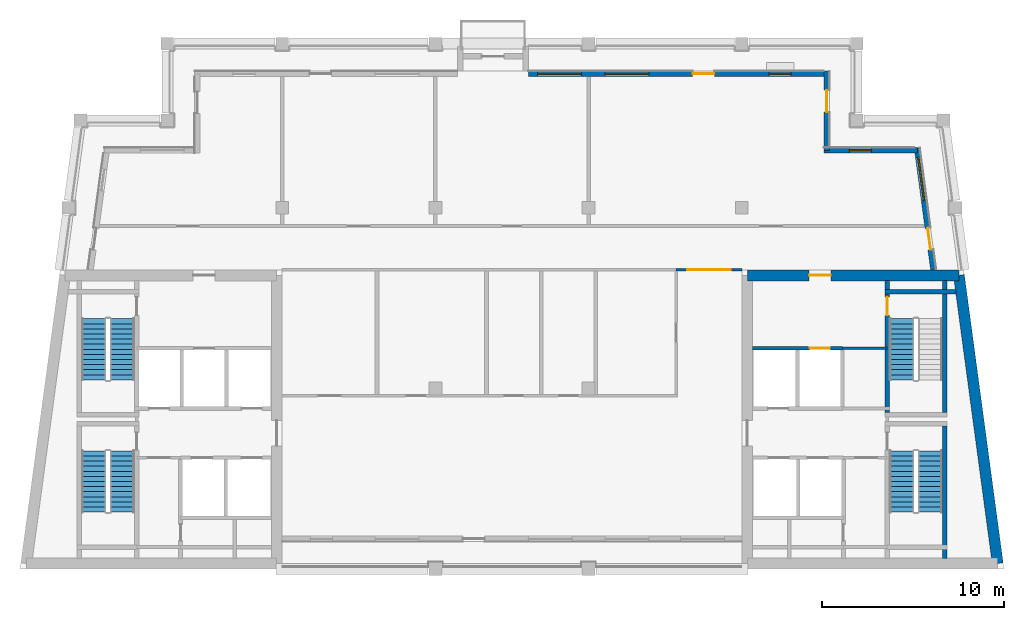
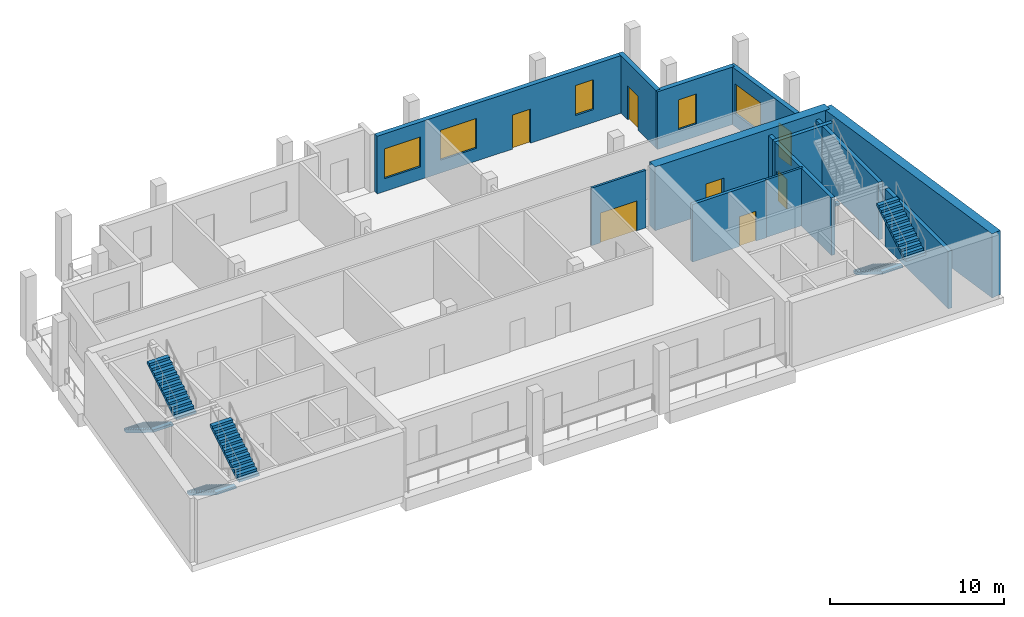
# One storey, part 4 of 9: 13 walls, 7 doors, 7 stair flights, 5 windows, 12 openings, 4 elements without a shape of their own.
"""IFC4 building model written with IfcOpenShell, lengths in metres."""

import ifcopenshell
import ifcopenshell.guid

model = None  # the IFC model being written
_history = None  # IfcOwnerHistory: only IFC2X3 demands one
_inside = {}  # id of a spatial element -> (the spatial element, [elements in it])
_under = {}  # id of a project, library or spatial element -> (it, [spatial elements below it])
_declared = {}  # id of a project -> (the project, [libraries it declares])
_typed = {}  # id of a type object -> (the type object, [elements of that type])
_made_of = {}  # id of a material, layer set ... -> (it, [elements and type objects made of it])


def new_model(schema):
    """Start an empty IFC model of exactly this schema.

    Asked for "IFC4X3", IfcOpenShell would pick the latest addendum, in which some entities
    have other attributes; the version numbers below select the first issue.
    IFC2X3 requires an IfcOwnerHistory on every rooted entity: one is made here for all.
    """
    global model, _history
    if schema == "IFC4X3":
        model = ifcopenshell.file(schema_version=(4, 3, 0, 0))
    else:
        model = ifcopenshell.file(schema=schema)
    _inside.clear()
    _under.clear()
    _declared.clear()
    _typed.clear()
    _made_of.clear()
    _history = None
    if model.schema == "IFC2X3":
        org = make("IfcOrganization", Name="unknown")
        user = make(
            "IfcPersonAndOrganization",
            ThePerson=make("IfcPerson", FamilyName="unknown"),
            TheOrganization=org,
        )
        app = make(
            "IfcApplication",
            ApplicationDeveloper=org,
            Version="unknown",
            ApplicationFullName="unknown",
            ApplicationIdentifier="unknown",
        )
        _history = make(
            "IfcOwnerHistory",
            OwningUser=user,
            OwningApplication=app,
            ChangeAction="ADDED",
            CreationDate=0,
        )
    return model


def make(cls, **values):
    """One entity of the class cls with the attributes given. An attribute that is None is left unset."""
    return model.create_entity(
        cls, **{name: value for name, value in values.items() if value is not None}
    )


def rooted(cls, **values):
    """An entity with a GlobalId (a new one), such as an element, a storey or a relation."""
    return make(cls, GlobalId=ifcopenshell.guid.new(), OwnerHistory=_history, **values)


def si_unit(unit_type, name, prefix=None):
    """IfcSIUnit, for example si_unit("LENGTHUNIT", "METRE", prefix="MILLI")."""
    return make("IfcSIUnit", UnitType=unit_type, Prefix=prefix, Name=name)


def assignment(units):
    """IfcUnitAssignment: the units of a project."""
    return None if units is None else make("IfcUnitAssignment", Units=units)


def point(xyz):
    """IfcCartesianPoint."""
    return None if xyz is None else make("IfcCartesianPoint", Coordinates=xyz)


def direction(xyz):
    """IfcDirection."""
    return None if xyz is None else make("IfcDirection", DirectionRatios=xyz)


def frame(location, z_axis=None, x_axis=None):
    """IfcAxis2Placement3D, a coordinate frame: its origin and axes. An axis left out is left unset."""
    return make(
        "IfcAxis2Placement3D",
        Location=point(location),
        Axis=direction(z_axis),
        RefDirection=direction(x_axis),
    )


def frame_2d(location, x_axis=None):
    """IfcAxis2Placement2D, a coordinate frame in the plane: its origin and x axis."""
    return make(
        "IfcAxis2Placement2D", Location=point(location), RefDirection=direction(x_axis)
    )


def origin():
    """The frame at (0, 0, 0) with its axes left unset."""
    return frame((0.0, 0.0, 0.0))


def place(relative_to, where):
    """IfcLocalPlacement: puts the frame where relative to a parent placement (None: the world)."""
    return make(
        "IfcLocalPlacement", PlacementRelTo=relative_to, RelativePlacement=where
    )


def context(
    kind, dimensions, precision=None, world=None, true_north=None, identifier=None
):
    """IfcGeometricRepresentationContext, for example the 3D "Model" context."""
    return make(
        "IfcGeometricRepresentationContext",
        ContextIdentifier=identifier,
        ContextType=kind,
        CoordinateSpaceDimension=dimensions,
        Precision=precision,
        WorldCoordinateSystem=world,
        TrueNorth=true_north,
    )


def subcontext(parent, identifier, kind, view, scale=None):
    """IfcGeometricRepresentationSubContext, for example "Body" below "Model"."""
    return make(
        "IfcGeometricRepresentationSubContext",
        ContextIdentifier=identifier,
        ContextType=kind,
        ParentContext=parent,
        TargetScale=scale,
        TargetView=view,
    )


def project(units=None, contexts=None):
    """IfcProject with its units and contexts."""
    return rooted(
        "IfcProject",
        Name="project",
        RepresentationContexts=contexts,
        UnitsInContext=assignment(units),
    )


def spatial(cls, under=None, at=None, **own):
    """A site, building, storey or space (cls), placed at a placement, below another one or the project."""
    s = rooted(cls, ObjectPlacement=at, **own)
    if under is not None:
        _under.setdefault(under.id(), (under, []))[1].append(s)
    return s


def polyline(points):
    """IfcPolyline through the points."""
    return make("IfcPolyline", Points=[point(p) for p in points])


def profile(cls, at=None, kind="AREA", **sizes):
    """A parametric profile (cls). Its sizes go by their IFC names, for example OverallWidth=200.0."""
    return make(cls, ProfileType=kind, Position=at, **sizes)


def rectangle(**sizes):
    """IfcRectangleProfileDef."""
    return profile("IfcRectangleProfileDef", **sizes)


def outline(outer, holes=None, kind="AREA"):
    """IfcArbitraryClosedProfileDef: a profile drawn as a closed curve; with holes, ...WithVoids."""
    if holes is None:
        return make("IfcArbitraryClosedProfileDef", ProfileType=kind, OuterCurve=outer)
    return make(
        "IfcArbitraryProfileDefWithVoids",
        ProfileType=kind,
        OuterCurve=outer,
        InnerCurves=holes,
    )


def extrude(swept, where, along, depth):
    """IfcExtrudedAreaSolid: the profile swept, set in the frame where, extruded along a direction by depth."""
    return make(
        "IfcExtrudedAreaSolid",
        SweptArea=swept,
        Position=where,
        ExtrudedDirection=direction(along),
        Depth=depth,
    )


def shape(context_of_items, identifier, shape_type, items):
    """IfcShapeRepresentation: the items that make up one representation, for example the "Body"."""
    return make(
        "IfcShapeRepresentation",
        ContextOfItems=context_of_items,
        RepresentationIdentifier=identifier,
        RepresentationType=shape_type,
        Items=items,
    )


def material(Name=None, Category=None):
    """IfcMaterial."""
    return make("IfcMaterial", Name=Name, Category=Category)


def layer(
    of_material, thickness, ventilated=None, Name=None, Category=None, Priority=None
):
    """IfcMaterialLayer: one layer of a wall or slab, of a material (None: an air gap)."""
    return make(
        "IfcMaterialLayer",
        Material=of_material,
        LayerThickness=thickness,
        IsVentilated=ventilated,
        Name=Name,
        Category=Category,
        Priority=Priority,
    )


def layer_set(layers, Name=None):
    """IfcMaterialLayerSet."""
    return make("IfcMaterialLayerSet", MaterialLayers=layers, LayerSetName=Name)


def made_of(thing, what):
    """Note that an element or type object is made of a material, layer set ...; save() writes the relation."""
    if what is not None:
        _made_of.setdefault(what.id(), (what, []))[1].append(thing)
    return thing


def type_object(cls, material=None, **own):
    """A type object (cls), such as IfcWallType, which elements share."""
    return made_of(rooted(cls, **own), material)


def element(
    cls,
    number,
    at=None,
    inside=None,
    cuts=None,
    type_object=None,
    material=None,
    context=None,
    identifier="Body",
    shape_type=None,
    held_by="IfcProductDefinitionShape",
    body=None,
    shapes=None,
    **own,
):
    """One element of the class cls, such as IfcWall. Its Tag is "e" and its number.

    at: its placement. inside: the storey or other place that contains it. cuts: it is an
    opening in that element (IfcRelVoidsElement). A single representation is given by context,
    identifier, shape_type and body (its items); several are given by shapes. held_by: the class
    of the entity that holds the representations. save() writes the other relations.
    """
    e = rooted(cls, Tag="e%d" % number, ObjectPlacement=at, **own)
    if body is not None:
        shapes = [shape(context, identifier, shape_type, body)]
    if shapes is not None:
        e.Representation = make(held_by, Representations=shapes)
    if inside is not None:
        _inside.setdefault(inside.id(), (inside, []))[1].append(e)
    if cuts is not None:
        rooted(
            "IfcRelVoidsElement", RelatingBuildingElement=cuts, RelatedOpeningElement=e
        )
    if type_object is not None:
        _typed.setdefault(type_object.id(), (type_object, []))[1].append(e)
    return made_of(e, material)


def fill(opening, filler):
    """IfcRelFillsElement: the door or window that sits in an opening."""
    return rooted(
        "IfcRelFillsElement",
        RelatingOpeningElement=opening,
        RelatedBuildingElement=filler,
    )


def aggregate(whole, parts):
    """IfcRelAggregates: a whole, such as a stair, and the parts it consists of."""
    return rooted("IfcRelAggregates", RelatingObject=whole, RelatedObjects=parts)


def save(model, path):
    """Write the relations noted so far, then the file.

    IfcRelAggregates (storeys below a building ...), IfcRelContainedInSpatialStructure (elements
    in a storey), IfcRelDefinesByType, IfcRelAssociatesMaterial and IfcRelDeclares: one each for
    every whole, place, type object, material and project.
    """
    for whole, parts in _under.values():
        aggregate(whole, parts)
    for where, things in _inside.values():
        rooted(
            "IfcRelContainedInSpatialStructure",
            RelatedElements=things,
            RelatingStructure=where,
        )
    for kind, things in _typed.values():
        rooted("IfcRelDefinesByType", RelatedObjects=things, RelatingType=kind)
    for what, things in _made_of.values():
        rooted("IfcRelAssociatesMaterial", RelatedObjects=things, RelatingMaterial=what)
    for by, libraries in _declared.values():
        rooted("IfcRelDeclares", RelatingContext=by, RelatedDefinitions=libraries)
    model.write(path)


model = new_model("IFC4")

# Units and contexts
model_context = context("Model", 3, precision=1e-05, world=origin(), true_north=direction((0.0, 1.0)))
body_context = subcontext(model_context, "Body", "Model", "MODEL_VIEW")
ifc_project = project(units=[si_unit("LENGTHUNIT", "METRE"), si_unit("AREAUNIT", "SQUARE_METRE"), si_unit("VOLUMEUNIT", "CUBIC_METRE"), si_unit("PLANEANGLEUNIT", "RADIAN"), si_unit("MASSUNIT", "GRAM", prefix="KILO")], contexts=[model_context])

# Site, building, storey
site_placement = place(None, origin())
site = spatial("IfcSite", under=ifc_project, at=site_placement, CompositionType="ELEMENT")
building_placement = place(site_placement, origin())
building = spatial("IfcBuilding", under=site, at=building_placement, Name="Candeia Pilgrim Tower and Theatre", CompositionType="ELEMENT")
storey_placement = place(building_placement, frame((0.0, 0.0, 303.39990234375)))
storey = spatial("IfcBuildingStorey", under=building, at=storey_placement, Name="L74", CompositionType="ELEMENT", Elevation=303.39990234375)

# Wall, opening, door
ifc_material_1 = material(Name="Concrete C40/50", Category="concrete")
ifc_layer_1 = layer(ifc_material_1, 0.60009765625)
ifc_layer_set_1 = layer_set([ifc_layer_1], Name="Core wall 600 C40/50")
wall_type_1 = type_object("IfcWallType", Name="Core wall 600 C40/50", PredefinedType="SHEAR", material=ifc_layer_set_1)
wall_1_placement = place(storey_placement, frame((126.300048828125, 132.10009765625, 0.0), z_axis=(0.0, 0.0, 1.0), x_axis=(1.0, 0.0, 0.0)))
wall_1 = element("IfcWall", 1, at=wall_1_placement, inside=storey, type_object=wall_type_1, Name="Core wall E1", PredefinedType="SHEAR", context=body_context, shape_type="SweptSolid", body=[
    extrude(rectangle(XDim=11.60693359375, YDim=0.60009765625, at=frame_2d((5.803466796875, 0.0))), origin(), (0.0, 0.0, 1.0), 4.5),
])
opening_1_placement = place(wall_1_placement, frame((3.386474609375, 0.0, 0.0)))
opening_1 = element("IfcOpeningElement", 2, at=opening_1_placement, cuts=wall_1, Name="Opening L74-D021", PredefinedType="OPENING", context=body_context, shape_type="SweptSolid", body=[
    extrude(rectangle(XDim=1.199951171875, YDim=2.10009765625, at=frame_2d((0.60009765625, 1.050048828125))), frame((0.0, 0.31005859375, 0.0), z_axis=(0.0, -1.0, 0.0), x_axis=(1.0, 0.0, 0.0)), (0.0, 0.0, 1.0), 0.6201171875),
])
ifc_material_2 = material(Name="Steel fire door set", Category="steel")
door_type_1 = type_object("IfcDoorType", Name="D-1200-FD60", OperationType="NOTDEFINED", PredefinedType="DOOR", material=ifc_material_2)
door_1_placement = place(opening_1_placement, origin())
door_1 = element("IfcDoor", 3, at=door_1_placement, inside=storey, type_object=door_type_1, Name="Door L74-D021", OperationType="SINGLE_SWING_RIGHT", OverallHeight=2.10009765625, OverallWidth=1.199951171875, PredefinedType="DOOR", context=body_context, shape_type="SweptSolid", body=[
    extrude(rectangle(XDim=1.199951171875, YDim=2.10009765625, at=frame_2d((0.60009765625, 1.050048828125))), frame((0.0, 0.02490234375, 0.0), z_axis=(0.0, -1.0, 0.0), x_axis=(1.0, 0.0, 0.0)), (0.0, 0.0, 1.0), 0.050048828125),
])
fill(opening_1, door_1)

# Wall
wall_2_placement = place(storey_placement, frame((137.906982421875, 132.10009765625, 0.0), z_axis=(0.0, 0.0, 1.0), x_axis=(0.13341345841, -0.991060466932, 0.0)))
element("IfcWall", 4, at=wall_2_placement, inside=storey, type_object=wall_type_1, Name="Core wall E2", PredefinedType="SHEAR", context=body_context, shape_type="SweptSolid", body=[
    extrude(rectangle(XDim=15.942626953125, YDim=0.60009765625, at=frame_2d((7.97119140625, 0.0))), origin(), (0.0, 0.0, 1.0), 4.5),
])

# Wall, openings, door, window
ifc_material_3 = material(Name="Ceramic block masonry", Category="masonry")
ifc_layer_2 = layer(ifc_material_3, 0.300048828125)
ifc_layer_set_2 = layer_set([ifc_layer_2], Name="EW1 glazing-line wall 300")
wall_type_2 = type_object("IfcWallType", Name="EW1 glazing-line wall 300", PredefinedType="SOLIDWALL", material=ifc_layer_set_2)
wall_3_placement = place(storey_placement, frame((136.50439453125, 132.39990234375, 0.0), z_axis=(0.0, 0.0, 1.0), x_axis=(-0.133399697462, 0.99106231929, 0.0)))
wall_3 = element("IfcWall", 5, at=wall_3_placement, inside=storey, type_object=wall_type_2, Name="External wall L74-2.0", PredefinedType="SOLIDWALL", context=body_context, shape_type="SweptSolid", body=[
    extrude(rectangle(XDim=6.740478515625, YDim=0.300048828125, at=frame_2d((3.3701171875, 0.0))), origin(), (0.0, 0.0, 1.0), 4.050048828125),
])
opening_2_placement = place(wall_3_placement, frame((1.115234375, 0.0, 0.0)))
opening_2 = element("IfcOpeningElement", 6, at=opening_2_placement, cuts=wall_3, Name="Opening L74-ED685", PredefinedType="OPENING", context=body_context, shape_type="SweptSolid", body=[
    extrude(rectangle(XDim=1.199951171875, YDim=2.39990234375, at=frame_2d((0.60009765625, 1.199951171875))), frame((0.0, 0.16015625, 0.0), z_axis=(0.0, -1.0, 0.0), x_axis=(1.0, 0.0, 0.0)), (0.0, 0.0, 1.0), 0.320068359375),
])
opening_3_placement = place(wall_3_placement, frame((3.83544921875, 0.0, 0.89990234375)))
opening_3 = element("IfcOpeningElement", 7, at=opening_3_placement, cuts=wall_3, Name="Opening W-A", PredefinedType="OPENING", context=body_context, shape_type="SweptSolid", body=[
    extrude(rectangle(XDim=2.39990234375, YDim=2.10009765625, at=frame_2d((1.199951171875, 1.050048828125))), frame((0.0, 0.16015625, 0.0), z_axis=(0.0, -1.0, 0.0), x_axis=(1.0, 0.0, 0.0)), (0.0, 0.0, 1.0), 0.320068359375),
])
ifc_material_4 = material(Name="Aluminium framed glazed door", Category="aluminium")
door_type_2 = type_object("IfcDoorType", Name="Loggia door 1200x2400", OperationType="DOUBLE_DOOR_SINGLE_SWING", PredefinedType="DOOR", material=ifc_material_4)
door_2_placement = place(opening_2_placement, origin())
door_2 = element("IfcDoor", 8, at=door_2_placement, inside=storey, type_object=door_type_2, Name="Loggia door L74-ED685", OperationType="DOUBLE_DOOR_SINGLE_SWING", OverallHeight=2.39990234375, OverallWidth=1.199951171875, PredefinedType="DOOR", context=body_context, shape_type="SweptSolid", body=[
    extrude(rectangle(XDim=1.199951171875, YDim=2.39990234375, at=frame_2d((0.60009765625, 1.199951171875))), frame((0.0, 0.02490234375, 0.0), z_axis=(0.0, -1.0, 0.0), x_axis=(1.0, 0.0, 0.0)), (0.0, 0.0, 1.0), 0.050048828125),
])
fill(opening_2, door_2)
ifc_material_5 = material(Name="Aluminium framed double glazing", Category="aluminium")
window_type_1 = type_object("IfcWindowType", Name="W-A window 2400x2100", PartitioningType="DOUBLE_PANEL_VERTICAL", PredefinedType="WINDOW", material=ifc_material_5)
window_1_placement = place(opening_3_placement, origin())
window_1 = element("IfcWindow", 9, at=window_1_placement, inside=storey, type_object=window_type_1, Name="Window W-A L74", OverallHeight=2.10009765625, OverallWidth=2.39990234375, PartitioningType="SINGLE_PANEL", PredefinedType="WINDOW", context=body_context, shape_type="SweptSolid", body=[
    extrude(rectangle(XDim=2.39990234375, YDim=2.10009765625, at=frame_2d((1.199951171875, 1.050048828125))), frame((0.0, 0.030029296875, 0.0), z_axis=(0.0, -1.0, 0.0), x_axis=(1.0, 0.0, 0.0)), (0.0, 0.0, 1.0), 0.06005859375),
])
fill(opening_3, window_1)

# Wall, opening, window
wall_4_placement = place(storey_placement, frame((135.62255859375, 138.949951171875, 0.0), z_axis=(0.0, 0.0, 1.0), x_axis=(-1.0, 0.0, 0.0)))
wall_4 = element("IfcWall", 10, at=wall_4_placement, inside=storey, type_object=wall_type_2, Name="External wall L74-3.0", PredefinedType="SOLIDWALL", context=body_context, shape_type="SweptSolid", body=[
    extrude(rectangle(XDim=5.12255859375, YDim=0.300048828125, at=frame_2d((2.561279296875, 0.0))), origin(), (0.0, 0.0, 1.0), 4.050048828125),
])
opening_4_placement = place(wall_4_placement, frame((2.522705078125, 0.0, 0.89990234375)))
opening_4 = element("IfcOpeningElement", 11, at=opening_4_placement, cuts=wall_4, Name="Opening W-B", PredefinedType="OPENING", context=body_context, shape_type="SweptSolid", body=[
    extrude(rectangle(XDim=1.199951171875, YDim=2.10009765625, at=frame_2d((0.60009765625, 1.050048828125))), frame((0.0, 0.16015625, 0.0), z_axis=(0.0, -1.0, 0.0), x_axis=(1.0, 0.0, 0.0)), (0.0, 0.0, 1.0), 0.320068359375),
])
window_type_2 = type_object("IfcWindowType", Name="W-B window 1200x2100", PartitioningType="SINGLE_PANEL", PredefinedType="WINDOW", material=ifc_material_5)
window_2_placement = place(opening_4_placement, origin())
window_2 = element("IfcWindow", 12, at=window_2_placement, inside=storey, type_object=window_type_2, Name="Window W-B L74", OverallHeight=2.10009765625, OverallWidth=1.199951171875, PartitioningType="SINGLE_PANEL", PredefinedType="WINDOW", context=body_context, shape_type="SweptSolid", body=[
    extrude(rectangle(XDim=1.199951171875, YDim=2.10009765625, at=frame_2d((0.60009765625, 1.050048828125))), frame((0.0, 0.030029296875, 0.0), z_axis=(0.0, -1.0, 0.0), x_axis=(1.0, 0.0, 0.0)), (0.0, 0.0, 1.0), 0.06005859375),
])
fill(opening_4, window_2)

# Wall, opening, door
wall_5_placement = place(storey_placement, frame((130.64990234375, 138.949951171875, 0.0), z_axis=(0.0, 0.0, 1.0), x_axis=(0.0, 1.0, 0.0)))
wall_5 = element("IfcWall", 13, at=wall_5_placement, inside=storey, type_object=wall_type_2, Name="External wall L74-4.0", PredefinedType="SOLIDWALL", context=body_context, shape_type="SweptSolid", body=[
    extrude(rectangle(XDim=4.35009765625, YDim=0.300048828125, at=frame_2d((2.175048828125, 0.0))), origin(), (0.0, 0.0, 1.0), 4.050048828125),
])
opening_5_placement = place(wall_5_placement, frame((2.10009765625, 0.0, 0.0)))
opening_5 = element("IfcOpeningElement", 14, at=opening_5_placement, cuts=wall_5, Name="Opening L74-ED686", PredefinedType="OPENING", context=body_context, shape_type="SweptSolid", body=[
    extrude(rectangle(XDim=1.199951171875, YDim=2.39990234375, at=frame_2d((0.60009765625, 1.199951171875))), frame((0.0, 0.16015625, 0.0), z_axis=(0.0, -1.0, 0.0), x_axis=(1.0, 0.0, 0.0)), (0.0, 0.0, 1.0), 0.320068359375),
])
door_3_placement = place(opening_5_placement, origin())
door_3 = element("IfcDoor", 15, at=door_3_placement, inside=storey, type_object=door_type_2, Name="Loggia door L74-ED686", OperationType="DOUBLE_DOOR_SINGLE_SWING", OverallHeight=2.39990234375, OverallWidth=1.199951171875, PredefinedType="DOOR", context=body_context, shape_type="SweptSolid", body=[
    extrude(rectangle(XDim=1.199951171875, YDim=2.39990234375, at=frame_2d((0.60009765625, 1.199951171875))), frame((0.0, 0.02490234375, 0.0), z_axis=(0.0, -1.0, 0.0), x_axis=(1.0, 0.0, 0.0)), (0.0, 0.0, 1.0), 0.050048828125),
])
fill(opening_5, door_3)

# Wall, openings, door, windows
wall_6_placement = place(storey_placement, frame((130.64990234375, 143.14990234375, 0.0), z_axis=(0.0, 0.0, 1.0), x_axis=(-1.0, 0.0, 0.0)))
wall_6 = element("IfcWall", 16, at=wall_6_placement, inside=storey, type_object=wall_type_2, Name="External wall L74-5.0", PredefinedType="SOLIDWALL", context=body_context, shape_type="SweptSolid", body=[
    extrude(rectangle(XDim=16.349853515625, YDim=0.300048828125, at=frame_2d((8.1748046875, 0.0))), origin(), (0.0, 0.0, 1.0), 4.050048828125),
])
opening_6_placement = place(wall_6_placement, frame((1.949951171875, 0.0, 0.89990234375)))
opening_6 = element("IfcOpeningElement", 17, at=opening_6_placement, cuts=wall_6, Name="Opening W-B", PredefinedType="OPENING", context=body_context, shape_type="SweptSolid", body=[
    extrude(rectangle(XDim=1.199951171875, YDim=2.10009765625, at=frame_2d((0.60009765625, 1.050048828125))), frame((0.0, 0.16015625, 0.0), z_axis=(0.0, -1.0, 0.0), x_axis=(1.0, 0.0, 0.0)), (0.0, 0.0, 1.0), 0.320068359375),
])
opening_7_placement = place(wall_6_placement, frame((6.14990234375, 0.0, 0.0)))
opening_7 = element("IfcOpeningElement", 18, at=opening_7_placement, cuts=wall_6, Name="Opening L74-ED687", PredefinedType="OPENING", context=body_context, shape_type="SweptSolid", body=[
    extrude(rectangle(XDim=1.199951171875, YDim=2.39990234375, at=frame_2d((0.60009765625, 1.199951171875))), frame((0.0, 0.16015625, 0.0), z_axis=(0.0, -1.0, 0.0), x_axis=(1.0, 0.0, 0.0)), (0.0, 0.0, 1.0), 0.320068359375),
])
opening_8_placement = place(wall_6_placement, frame((9.75, 0.0, 0.89990234375)))
opening_8 = element("IfcOpeningElement", 19, at=opening_8_placement, cuts=wall_6, Name="Opening W-A", PredefinedType="OPENING", context=body_context, shape_type="SweptSolid", body=[
    extrude(rectangle(XDim=2.39990234375, YDim=2.10009765625, at=frame_2d((1.199951171875, 1.050048828125))), frame((0.0, 0.16015625, 0.0), z_axis=(0.0, -1.0, 0.0), x_axis=(1.0, 0.0, 0.0)), (0.0, 0.0, 1.0), 0.320068359375),
])
opening_9_placement = place(wall_6_placement, frame((13.449951171875, 0.0, 0.89990234375)))
opening_9 = element("IfcOpeningElement", 20, at=opening_9_placement, cuts=wall_6, Name="Opening W-A", PredefinedType="OPENING", context=body_context, shape_type="SweptSolid", body=[
    extrude(rectangle(XDim=2.39990234375, YDim=2.10009765625, at=frame_2d((1.199951171875, 1.050048828125))), frame((0.0, 0.16015625, 0.0), z_axis=(0.0, -1.0, 0.0), x_axis=(1.0, 0.0, 0.0)), (0.0, 0.0, 1.0), 0.320068359375),
])
door_4_placement = place(opening_7_placement, origin())
door_4 = element("IfcDoor", 21, at=door_4_placement, inside=storey, type_object=door_type_2, Name="Loggia door L74-ED687", OperationType="DOUBLE_DOOR_SINGLE_SWING", OverallHeight=2.39990234375, OverallWidth=1.199951171875, PredefinedType="DOOR", context=body_context, shape_type="SweptSolid", body=[
    extrude(rectangle(XDim=1.199951171875, YDim=2.39990234375, at=frame_2d((0.60009765625, 1.199951171875))), frame((0.0, 0.02490234375, 0.0), z_axis=(0.0, -1.0, 0.0), x_axis=(1.0, 0.0, 0.0)), (0.0, 0.0, 1.0), 0.050048828125),
])
fill(opening_7, door_4)
window_3_placement = place(opening_8_placement, origin())
window_3 = element("IfcWindow", 22, at=window_3_placement, inside=storey, type_object=window_type_1, Name="Window W-A L74", OverallHeight=2.10009765625, OverallWidth=2.39990234375, PartitioningType="SINGLE_PANEL", PredefinedType="WINDOW", context=body_context, shape_type="SweptSolid", body=[
    extrude(rectangle(XDim=2.39990234375, YDim=2.10009765625, at=frame_2d((1.199951171875, 1.050048828125))), frame((0.0, 0.030029296875, 0.0), z_axis=(0.0, -1.0, 0.0), x_axis=(1.0, 0.0, 0.0)), (0.0, 0.0, 1.0), 0.06005859375),
])
fill(opening_8, window_3)
window_4_placement = place(opening_9_placement, origin())
window_4 = element("IfcWindow", 23, at=window_4_placement, inside=storey, type_object=window_type_1, Name="Window W-A L74", OverallHeight=2.10009765625, OverallWidth=2.39990234375, PartitioningType="SINGLE_PANEL", PredefinedType="WINDOW", context=body_context, shape_type="SweptSolid", body=[
    extrude(rectangle(XDim=2.39990234375, YDim=2.10009765625, at=frame_2d((1.199951171875, 1.050048828125))), frame((0.0, 0.030029296875, 0.0), z_axis=(0.0, -1.0, 0.0), x_axis=(1.0, 0.0, 0.0)), (0.0, 0.0, 1.0), 0.06005859375),
])
fill(opening_9, window_4)
window_5_placement = place(opening_6_placement, origin())
window_5 = element("IfcWindow", 24, at=window_5_placement, inside=storey, type_object=window_type_2, Name="Window W-B L74", OverallHeight=2.10009765625, OverallWidth=1.199951171875, PartitioningType="SINGLE_PANEL", PredefinedType="WINDOW", context=body_context, shape_type="SweptSolid", body=[
    extrude(rectangle(XDim=1.199951171875, YDim=2.10009765625, at=frame_2d((0.60009765625, 1.050048828125))), frame((0.0, 0.030029296875, 0.0), z_axis=(0.0, -1.0, 0.0), x_axis=(1.0, 0.0, 0.0)), (0.0, 0.0, 1.0), 0.06005859375),
])
fill(opening_6, window_5)

# Wall
ifc_material_6 = material(Name="Gypsum board partition on steel studs", Category="steel")
ifc_layer_3 = layer(ifc_material_6, 0.14990234375)
ifc_layer_set_3 = layer_set([ifc_layer_3], Name="PW-150 lobby wall")
wall_type_3 = type_object("IfcWallType", Name="PW-150 lobby wall", PredefinedType="PARTITIONING", material=ifc_layer_set_3)
wall_7_placement = place(storey_placement, frame((131.515380859375, 128.10009765625, 0.0), z_axis=(0.0, 0.0, 1.0), x_axis=(1.0, 0.0, 0.0)))
element("IfcWall", 25, at=wall_7_placement, inside=storey, type_object=wall_type_3, Name="Lobby wall L74-023", PredefinedType="PARTITIONING", context=body_context, shape_type="SweptSolid", body=[
    extrude(rectangle(XDim=2.45751953125, YDim=0.14990234375, at=frame_2d((1.228759765625, 0.0))), origin(), (0.0, 0.0, 1.0), 4.050048828125),
])

# Wall, opening, door
wall_8_placement = place(storey_placement, frame((122.39990234375, 132.39990234375, 0.0), z_axis=(0.0, 0.0, 1.0), x_axis=(1.0, 0.0, 0.0)))
wall_8 = element("IfcWall", 26, at=wall_8_placement, inside=storey, type_object=wall_type_3, Name="Lobby wall L74-026", PredefinedType="PARTITIONING", context=body_context, shape_type="SweptSolid", body=[
    extrude(rectangle(XDim=3.60009765625, YDim=0.14990234375, at=frame_2d((1.800048828125, 0.0))), origin(), (0.0, 0.0, 1.0), 4.050048828125),
])
opening_10_placement = place(wall_8_placement, frame((0.60009765625, 0.0, 0.0)))
opening_10 = element("IfcOpeningElement", 27, at=opening_10_placement, cuts=wall_8, Name="Opening L74-D001", PredefinedType="OPENING", context=body_context, shape_type="SweptSolid", body=[
    extrude(rectangle(XDim=2.39990234375, YDim=2.10009765625, at=frame_2d((1.199951171875, 1.050048828125))), frame((0.0, 0.0849609375, 0.0), z_axis=(0.0, -1.0, 0.0), x_axis=(1.0, 0.0, 0.0)), (0.0, 0.0, 1.0), 0.169921875),
])
door_type_3 = type_object("IfcDoorType", Name="D-2400-FD30S", OperationType="NOTDEFINED", PredefinedType="DOOR", material=ifc_material_2)
door_5_placement = place(opening_10_placement, origin())
door_5 = element("IfcDoor", 28, at=door_5_placement, inside=storey, type_object=door_type_3, Name="Door L74-D001", OperationType="SINGLE_SWING_LEFT", OverallHeight=2.10009765625, OverallWidth=2.39990234375, PredefinedType="DOOR", context=body_context, shape_type="SweptSolid", body=[
    extrude(rectangle(XDim=2.39990234375, YDim=2.10009765625, at=frame_2d((1.199951171875, 1.050048828125))), frame((0.0, 0.02490234375, 0.0), z_axis=(0.0, -1.0, 0.0), x_axis=(1.0, 0.0, 0.0)), (0.0, 0.0, 1.0), 0.050048828125),
])
fill(opening_10, door_5)

ifc_layer_4 = layer(ifc_material_1, 0.199951171875)
ifc_layer_set_4 = layer_set([ifc_layer_4], Name="SW-200 shaft wall")
wall_type_4 = type_object("IfcWallType", Name="SW-200 shaft wall", PredefinedType="PARTITIONING", material=ifc_layer_set_4)
wall_9_placement = place(storey_placement, frame((126.60009765625, 128.10009765625, 0.0), z_axis=(0.0, 0.0, 1.0), x_axis=(1.0, 0.0, 0.0)))
wall_9 = element("IfcWall", 29, at=wall_9_placement, inside=storey, type_object=wall_type_4, Name="Shaft wall L74-022", PredefinedType="PARTITIONING", context=body_context, shape_type="SweptSolid", body=[
    extrude(rectangle(XDim=4.915283203125, YDim=0.199951171875, at=frame_2d((2.45751953125, 0.0))), origin(), (0.0, 0.0, 1.0), 4.050048828125),
])
opening_11_placement = place(wall_9_placement, frame((3.135986328125, 0.0, 0.0)))
opening_11 = element("IfcOpeningElement", 30, at=opening_11_placement, cuts=wall_9, Name="Opening L74-LD08", PredefinedType="OPENING", context=body_context, shape_type="SweptSolid", body=[
    extrude(rectangle(XDim=1.10009765625, YDim=2.10009765625, at=frame_2d((0.550048828125, 1.050048828125))), frame((0.0, 0.10986328125, 0.0), z_axis=(0.0, -1.0, 0.0), x_axis=(1.0, 0.0, 0.0)), (0.0, 0.0, 1.0), 0.219970703125),
])
ifc_material_7 = material(Name="Glazed aluminium landing door", Category="aluminium")
door_type_4 = type_object("IfcDoorType", Name="LD-1100-EI120", OperationType="SLIDING_TO_LEFT", PredefinedType="DOOR", material=ifc_material_7)
door_6_placement = place(opening_11_placement, origin())
door_6 = element("IfcDoor", 31, at=door_6_placement, inside=storey, type_object=door_type_4, Name="Landing door 08 L74", OperationType="SLIDING_TO_LEFT", OverallHeight=2.10009765625, OverallWidth=1.10009765625, PredefinedType="DOOR", context=body_context, shape_type="SweptSolid", body=[
    extrude(rectangle(XDim=1.10009765625, YDim=2.10009765625, at=frame_2d((0.550048828125, 1.050048828125))), frame((0.0, 0.02490234375, 0.0), z_axis=(0.0, -1.0, 0.0), x_axis=(1.0, 0.0, 0.0)), (0.0, 0.0, 1.0), 0.050048828125),
])
fill(opening_11, door_6)

# Wall
ifc_layer_5 = layer(ifc_material_1, 0.25)
ifc_layer_set_5 = layer_set([ifc_layer_5], Name="SW-250 stair wall")
wall_type_5 = type_object("IfcWallType", Name="SW-250 stair wall", PredefinedType="PARTITIONING", material=ifc_layer_set_5)
wall_10_placement = place(storey_placement, frame((133.847900390625, 131.199951171875, 0.0), z_axis=(0.0, 0.0, 1.0), x_axis=(1.0, 0.0, 0.0)))
element("IfcWall", 32, at=wall_10_placement, inside=storey, type_object=wall_type_5, Name="Stair wall L74-025", PredefinedType="PARTITIONING", context=body_context, shape_type="SweptSolid", body=[
    extrude(rectangle(XDim=3.907470703125, YDim=0.25, at=frame_2d((1.95361328125, 0.0))), origin(), (0.0, 0.0, 1.0), 4.050048828125),
])

# Wall, opening, door
wall_11_placement = place(storey_placement, frame((133.972900390625, 124.574951171875, 0.0), z_axis=(0.0, 0.0, 1.0), x_axis=(0.0, 1.0, 0.0)))
wall_11 = element("IfcWall", 33, at=wall_11_placement, inside=storey, type_object=wall_type_5, Name="Stair wall L74-054", PredefinedType="PARTITIONING", context=body_context, shape_type="SweptSolid", body=[
    extrude(rectangle(XDim=7.255126953125, YDim=0.25, at=frame_2d((3.62744140625, 0.0))), origin(), (0.0, 0.0, 1.0), 4.050048828125),
])
opening_12_placement = place(wall_11_placement, frame((5.324951171875, 0.0, 0.0)))
opening_12 = element("IfcOpeningElement", 34, at=opening_12_placement, cuts=wall_11, Name="Opening L74-D017", PredefinedType="OPENING", context=body_context, shape_type="SweptSolid", body=[
    extrude(rectangle(XDim=1.0, YDim=2.10009765625, at=frame_2d((0.5, 1.050048828125))), frame((0.0, 0.135009765625, 0.0), z_axis=(0.0, -1.0, 0.0), x_axis=(1.0, 0.0, 0.0)), (0.0, 0.0, 1.0), 0.27001953125),
])
door_type_5 = type_object("IfcDoorType", Name="D-1000-FD60", OperationType="NOTDEFINED", PredefinedType="DOOR", material=ifc_material_2)
door_7_placement = place(opening_12_placement, origin())
door_7 = element("IfcDoor", 35, at=door_7_placement, inside=storey, type_object=door_type_5, Name="Door L74-D017", OperationType="SINGLE_SWING_RIGHT", OverallHeight=2.10009765625, OverallWidth=1.0, PredefinedType="DOOR", context=body_context, shape_type="SweptSolid", body=[
    extrude(rectangle(XDim=1.0, YDim=2.10009765625, at=frame_2d((0.5, 1.050048828125))), frame((0.0, 0.02490234375, 0.0), z_axis=(0.0, -1.0, 0.0), x_axis=(1.0, 0.0, 0.0)), (0.0, 0.0, 1.0), 0.050048828125),
])
fill(opening_12, door_7)

# Walls
wall_12_placement = place(storey_placement, frame((137.123046875, 116.570068359375, 0.0), z_axis=(0.0, 0.0, 1.0), x_axis=(0.0, 1.0, 0.0)))
element("IfcWall", 36, at=wall_12_placement, inside=storey, type_object=wall_type_5, Name="Stair wall L74-055", PredefinedType="PARTITIONING", context=body_context, shape_type="SweptSolid", body=[
    extrude(rectangle(XDim=7.2548828125, YDim=0.25, at=frame_2d((3.62744140625, 0.0))), origin(), (0.0, 0.0, 1.0), 4.050048828125),
])
wall_13_placement = place(storey_placement, frame((137.123046875, 124.574951171875, 0.0), z_axis=(0.0, 0.0, 1.0), x_axis=(0.0, 1.0, 0.0)))
element("IfcWall", 37, at=wall_13_placement, inside=storey, type_object=wall_type_5, Name="Stair wall L74-056", PredefinedType="PARTITIONING", context=body_context, shape_type="SweptSolid", body=[
    extrude(rectangle(XDim=7.255126953125, YDim=0.25, at=frame_2d((3.62744140625, 0.0))), origin(), (0.0, 0.0, 1.0), 4.050048828125),
])

# Stair, stair flights
stair_type = type_object("IfcStairType", Name="ST-TWR dog-leg escape stair", PredefinedType="HALF_TURN_STAIR", material=ifc_material_1)
stair_1_placement = place(storey_placement, origin())
stair_1 = element("IfcStair", 38, at=stair_1_placement, inside=storey, type_object=stair_type, Name="L74 Escape stair ST1", PredefinedType="HALF_TURN_STAIR")
stair_flight_type = type_object("IfcStairFlightType", Name="SFL-RC stair flight", PredefinedType="STRAIGHT", material=ifc_material_1)
stair_flight_1_placement = place(storey_placement, frame((90.47705078125, 122.47509765625, 0.0), z_axis=(0.0, 0.0, 1.0), x_axis=(0.0, -1.0, 0.0)))
stair_flight_1 = element("IfcStairFlight", 39, at=stair_flight_1_placement, type_object=stair_flight_type, Name="ST1 flight 1", NumberOfRisers=13, NumberOfTreads=12, PredefinedType="STRAIGHT", RiserHeight=0.173076923, TreadLength=0.28, context=body_context, shape_type="SweptSolid", body=[
    extrude(outline(polyline([(0.0, 0.0), (0.0, 0.173095703125), (0.280029296875, 0.173095703125), (0.280029296875, 0.34619140625), (0.56005859375, 0.34619140625), (0.56005859375, 0.519287109375), (0.840087890625, 0.519287109375), (0.840087890625, 0.6923828125), (1.1201171875, 0.6923828125), (1.1201171875, 0.865478515625), (1.39990234375, 0.865478515625), (1.39990234375, 1.03857421875), (1.679931640625, 1.03857421875), (1.679931640625, 1.21142578125), (1.9599609375, 1.21142578125), (1.9599609375, 1.384521484375), (2.239990234375, 1.384521484375), (2.239990234375, 1.5576171875), (2.52001953125, 1.5576171875), (2.52001953125, 1.730712890625), (2.800048828125, 1.730712890625), (2.800048828125, 1.90380859375), (3.080078125, 1.90380859375), (3.080078125, 2.076904296875), (3.360107421875, 2.076904296875), (3.360107421875, 2.25), (3.360107421875, 1.900634765625), (0.28515625, 0.0), (0.0, 0.0)])), frame((0.0, 0.675048828125, 0.0), z_axis=(0.0, -1.0, 0.0), x_axis=(1.0, 0.0, 0.0)), (0.0, 0.0, 1.0), 1.35009765625),
])
stair_flight_2_placement = place(storey_placement, frame((92.027099609375, 119.114990234375, 2.25), z_axis=(0.0, 0.0, 1.0), x_axis=(0.0, 1.0, 0.0)))
stair_flight_2 = element("IfcStairFlight", 40, at=stair_flight_2_placement, type_object=stair_flight_type, Name="ST1 flight 2", NumberOfRisers=13, NumberOfTreads=12, PredefinedType="STRAIGHT", RiserHeight=0.173076923, TreadLength=0.28, context=body_context, shape_type="SweptSolid", body=[
    extrude(outline(polyline([(0.0, 0.0), (0.0, 0.173095703125), (0.280029296875, 0.173095703125), (0.280029296875, 0.34619140625), (0.56005859375, 0.34619140625), (0.56005859375, 0.519287109375), (0.840087890625, 0.519287109375), (0.840087890625, 0.6923828125), (1.1201171875, 0.6923828125), (1.1201171875, 0.865478515625), (1.39990234375, 0.865478515625), (1.39990234375, 1.03857421875), (1.679931640625, 1.03857421875), (1.679931640625, 1.21142578125), (1.9599609375, 1.21142578125), (1.9599609375, 1.384521484375), (2.239990234375, 1.384521484375), (2.239990234375, 1.5576171875), (2.52001953125, 1.5576171875), (2.52001953125, 1.730712890625), (2.800048828125, 1.730712890625), (2.800048828125, 1.90380859375), (3.080078125, 1.90380859375), (3.080078125, 2.076904296875), (3.360107421875, 2.076904296875), (3.360107421875, 2.25), (3.360107421875, 1.900634765625), (0.28515625, 0.0), (0.0, 0.0)])), frame((0.0, 0.675048828125, 0.0), z_axis=(0.0, -1.0, 0.0), x_axis=(1.0, 0.0, 0.0)), (0.0, 0.0, 1.0), 1.35009765625),
])
aggregate(stair_1, [stair_flight_1, stair_flight_2])

stair_2_placement = place(storey_placement, origin())
stair_2 = element("IfcStair", 41, at=stair_2_placement, inside=storey, type_object=stair_type, Name="L74 Escape stair ST2", PredefinedType="HALF_TURN_STAIR")
stair_flight_3_placement = place(storey_placement, frame((90.47705078125, 129.72509765625, 0.0), z_axis=(0.0, 0.0, 1.0), x_axis=(0.0, -1.0, 0.0)))
stair_flight_3 = element("IfcStairFlight", 42, at=stair_flight_3_placement, type_object=stair_flight_type, Name="ST2 flight 1", NumberOfRisers=13, NumberOfTreads=12, PredefinedType="STRAIGHT", RiserHeight=0.173076923, TreadLength=0.28, context=body_context, shape_type="SweptSolid", body=[
    extrude(outline(polyline([(0.0, 0.0), (0.0, 0.173095703125), (0.280029296875, 0.173095703125), (0.280029296875, 0.34619140625), (0.56005859375, 0.34619140625), (0.56005859375, 0.519287109375), (0.840087890625, 0.519287109375), (0.840087890625, 0.6923828125), (1.1201171875, 0.6923828125), (1.1201171875, 0.865478515625), (1.39990234375, 0.865478515625), (1.39990234375, 1.03857421875), (1.679931640625, 1.03857421875), (1.679931640625, 1.21142578125), (1.9599609375, 1.21142578125), (1.9599609375, 1.384521484375), (2.239990234375, 1.384521484375), (2.239990234375, 1.5576171875), (2.52001953125, 1.5576171875), (2.52001953125, 1.730712890625), (2.800048828125, 1.730712890625), (2.800048828125, 1.90380859375), (3.080078125, 1.90380859375), (3.080078125, 2.076904296875), (3.360107421875, 2.076904296875), (3.360107421875, 2.25), (3.360107421875, 1.900634765625), (0.28515625, 0.0), (0.0, 0.0)])), frame((0.0, 0.675048828125, 0.0), z_axis=(0.0, -1.0, 0.0), x_axis=(1.0, 0.0, 0.0)), (0.0, 0.0, 1.0), 1.35009765625),
])
stair_flight_4_placement = place(storey_placement, frame((92.027099609375, 126.364990234375, 2.25), z_axis=(0.0, 0.0, 1.0), x_axis=(0.0, 1.0, 0.0)))
stair_flight_4 = element("IfcStairFlight", 43, at=stair_flight_4_placement, type_object=stair_flight_type, Name="ST2 flight 2", NumberOfRisers=13, NumberOfTreads=12, PredefinedType="STRAIGHT", RiserHeight=0.173076923, TreadLength=0.28, context=body_context, shape_type="SweptSolid", body=[
    extrude(outline(polyline([(0.0, 0.0), (0.0, 0.173095703125), (0.280029296875, 0.173095703125), (0.280029296875, 0.34619140625), (0.56005859375, 0.34619140625), (0.56005859375, 0.519287109375), (0.840087890625, 0.519287109375), (0.840087890625, 0.6923828125), (1.1201171875, 0.6923828125), (1.1201171875, 0.865478515625), (1.39990234375, 0.865478515625), (1.39990234375, 1.03857421875), (1.679931640625, 1.03857421875), (1.679931640625, 1.21142578125), (1.9599609375, 1.21142578125), (1.9599609375, 1.384521484375), (2.239990234375, 1.384521484375), (2.239990234375, 1.5576171875), (2.52001953125, 1.5576171875), (2.52001953125, 1.730712890625), (2.800048828125, 1.730712890625), (2.800048828125, 1.90380859375), (3.080078125, 1.90380859375), (3.080078125, 2.076904296875), (3.360107421875, 2.076904296875), (3.360107421875, 2.25), (3.360107421875, 1.900634765625), (0.28515625, 0.0), (0.0, 0.0)])), frame((0.0, 0.675048828125, 0.0), z_axis=(0.0, -1.0, 0.0), x_axis=(1.0, 0.0, 0.0)), (0.0, 0.0, 1.0), 1.35009765625),
])
aggregate(stair_2, [stair_flight_3, stair_flight_4])

stair_3_placement = place(storey_placement, origin())
stair_3 = element("IfcStair", 44, at=stair_3_placement, inside=storey, type_object=stair_type, Name="L74 Escape stair ST3", PredefinedType="HALF_TURN_STAIR")
stair_flight_5_placement = place(storey_placement, frame((134.77294921875, 122.47509765625, 0.0), z_axis=(0.0, 0.0, 1.0), x_axis=(0.0, -1.0, 0.0)))
stair_flight_5 = element("IfcStairFlight", 45, at=stair_flight_5_placement, type_object=stair_flight_type, Name="ST3 flight 1", NumberOfRisers=13, NumberOfTreads=12, PredefinedType="STRAIGHT", RiserHeight=0.173076923, TreadLength=0.28, context=body_context, shape_type="SweptSolid", body=[
    extrude(outline(polyline([(0.0, 0.0), (0.0, 0.173095703125), (0.280029296875, 0.173095703125), (0.280029296875, 0.34619140625), (0.56005859375, 0.34619140625), (0.56005859375, 0.519287109375), (0.840087890625, 0.519287109375), (0.840087890625, 0.6923828125), (1.1201171875, 0.6923828125), (1.1201171875, 0.865478515625), (1.39990234375, 0.865478515625), (1.39990234375, 1.03857421875), (1.679931640625, 1.03857421875), (1.679931640625, 1.21142578125), (1.9599609375, 1.21142578125), (1.9599609375, 1.384521484375), (2.239990234375, 1.384521484375), (2.239990234375, 1.5576171875), (2.52001953125, 1.5576171875), (2.52001953125, 1.730712890625), (2.800048828125, 1.730712890625), (2.800048828125, 1.90380859375), (3.080078125, 1.90380859375), (3.080078125, 2.076904296875), (3.360107421875, 2.076904296875), (3.360107421875, 2.25), (3.360107421875, 1.900634765625), (0.28515625, 0.0), (0.0, 0.0)])), frame((0.0, 0.675048828125, 0.0), z_axis=(0.0, -1.0, 0.0), x_axis=(1.0, 0.0, 0.0)), (0.0, 0.0, 1.0), 1.35009765625),
])
stair_flight_6_placement = place(storey_placement, frame((136.322998046875, 119.114990234375, 2.25), z_axis=(0.0, 0.0, 1.0), x_axis=(0.0, 1.0, 0.0)))
stair_flight_6 = element("IfcStairFlight", 46, at=stair_flight_6_placement, type_object=stair_flight_type, Name="ST3 flight 2", NumberOfRisers=13, NumberOfTreads=12, PredefinedType="STRAIGHT", RiserHeight=0.173076923, TreadLength=0.28, context=body_context, shape_type="SweptSolid", body=[
    extrude(outline(polyline([(0.0, 0.0), (0.0, 0.173095703125), (0.280029296875, 0.173095703125), (0.280029296875, 0.34619140625), (0.56005859375, 0.34619140625), (0.56005859375, 0.519287109375), (0.840087890625, 0.519287109375), (0.840087890625, 0.6923828125), (1.1201171875, 0.6923828125), (1.1201171875, 0.865478515625), (1.39990234375, 0.865478515625), (1.39990234375, 1.03857421875), (1.679931640625, 1.03857421875), (1.679931640625, 1.21142578125), (1.9599609375, 1.21142578125), (1.9599609375, 1.384521484375), (2.239990234375, 1.384521484375), (2.239990234375, 1.5576171875), (2.52001953125, 1.5576171875), (2.52001953125, 1.730712890625), (2.800048828125, 1.730712890625), (2.800048828125, 1.90380859375), (3.080078125, 1.90380859375), (3.080078125, 2.076904296875), (3.360107421875, 2.076904296875), (3.360107421875, 2.25), (3.360107421875, 1.900634765625), (0.28515625, 0.0), (0.0, 0.0)])), frame((0.0, 0.675048828125, 0.0), z_axis=(0.0, -1.0, 0.0), x_axis=(1.0, 0.0, 0.0)), (0.0, 0.0, 1.0), 1.35009765625),
])
aggregate(stair_3, [stair_flight_5, stair_flight_6])

# Stair, stair flight
stair_4_placement = place(storey_placement, origin())
stair_4 = element("IfcStair", 47, at=stair_4_placement, inside=storey, type_object=stair_type, Name="L74 Escape stair ST4", PredefinedType="HALF_TURN_STAIR")
stair_flight_7_placement = place(storey_placement, frame((134.77294921875, 129.72509765625, 0.0), z_axis=(0.0, 0.0, 1.0), x_axis=(0.0, -1.0, 0.0)))
stair_flight_7 = element("IfcStairFlight", 48, at=stair_flight_7_placement, type_object=stair_flight_type, Name="ST4 flight 1", NumberOfRisers=13, NumberOfTreads=12, PredefinedType="STRAIGHT", RiserHeight=0.173076923, TreadLength=0.28, context=body_context, shape_type="SweptSolid", body=[
    extrude(outline(polyline([(0.0, 0.0), (0.0, 0.173095703125), (0.280029296875, 0.173095703125), (0.280029296875, 0.34619140625), (0.56005859375, 0.34619140625), (0.56005859375, 0.519287109375), (0.840087890625, 0.519287109375), (0.840087890625, 0.6923828125), (1.1201171875, 0.6923828125), (1.1201171875, 0.865478515625), (1.39990234375, 0.865478515625), (1.39990234375, 1.03857421875), (1.679931640625, 1.03857421875), (1.679931640625, 1.21142578125), (1.9599609375, 1.21142578125), (1.9599609375, 1.384521484375), (2.239990234375, 1.384521484375), (2.239990234375, 1.5576171875), (2.52001953125, 1.5576171875), (2.52001953125, 1.730712890625), (2.800048828125, 1.730712890625), (2.800048828125, 1.90380859375), (3.080078125, 1.90380859375), (3.080078125, 2.076904296875), (3.360107421875, 2.076904296875), (3.360107421875, 2.25), (3.360107421875, 1.900634765625), (0.28515625, 0.0), (0.0, 0.0)])), frame((0.0, 0.675048828125, 0.0), z_axis=(0.0, -1.0, 0.0), x_axis=(1.0, 0.0, 0.0)), (0.0, 0.0, 1.0), 1.35009765625),
])
aggregate(stair_4, [stair_flight_7])

save(model, "model.ifc")
